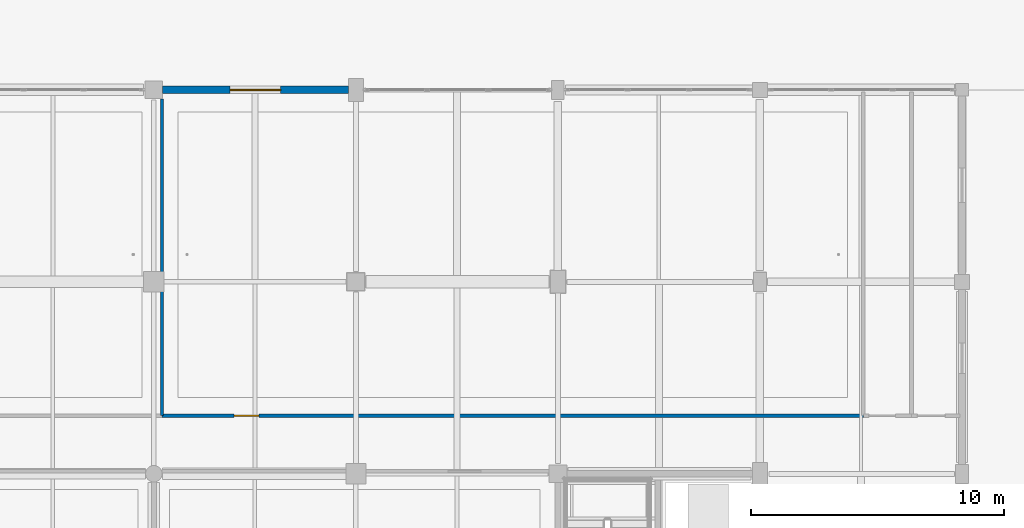
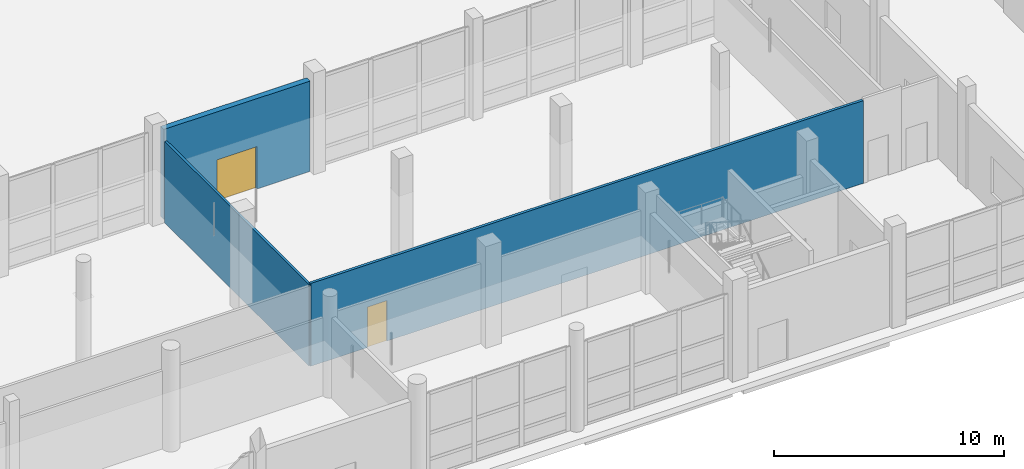
# One storey, part 63 of 126: 3 walls, 2 doors, 2 openings.
"""IFC4 building model written with IfcOpenShell, lengths in metres."""

import ifcopenshell
import ifcopenshell.guid

model = None  # the IFC model being written
_history = None  # IfcOwnerHistory: only IFC2X3 demands one
_inside = {}  # id of a spatial element -> (the spatial element, [elements in it])
_under = {}  # id of a project, library or spatial element -> (it, [spatial elements below it])
_declared = {}  # id of a project -> (the project, [libraries it declares])
_typed = {}  # id of a type object -> (the type object, [elements of that type])
_made_of = {}  # id of a material, layer set ... -> (it, [elements and type objects made of it])


def new_model(schema):
    """Start an empty IFC model of exactly this schema.

    Asked for "IFC4X3", IfcOpenShell would pick the latest addendum, in which some entities
    have other attributes; the version numbers below select the first issue.
    IFC2X3 requires an IfcOwnerHistory on every rooted entity: one is made here for all.
    """
    global model, _history
    if schema == "IFC4X3":
        model = ifcopenshell.file(schema_version=(4, 3, 0, 0))
    else:
        model = ifcopenshell.file(schema=schema)
    _inside.clear()
    _under.clear()
    _declared.clear()
    _typed.clear()
    _made_of.clear()
    _history = None
    if model.schema == "IFC2X3":
        org = make("IfcOrganization", Name="unknown")
        user = make(
            "IfcPersonAndOrganization",
            ThePerson=make("IfcPerson", FamilyName="unknown"),
            TheOrganization=org,
        )
        app = make(
            "IfcApplication",
            ApplicationDeveloper=org,
            Version="unknown",
            ApplicationFullName="unknown",
            ApplicationIdentifier="unknown",
        )
        _history = make(
            "IfcOwnerHistory",
            OwningUser=user,
            OwningApplication=app,
            ChangeAction="ADDED",
            CreationDate=0,
        )
    return model


def make(cls, **values):
    """One entity of the class cls with the attributes given. An attribute that is None is left unset."""
    return model.create_entity(
        cls, **{name: value for name, value in values.items() if value is not None}
    )


def rooted(cls, **values):
    """An entity with a GlobalId (a new one), such as an element, a storey or a relation."""
    return make(cls, GlobalId=ifcopenshell.guid.new(), OwnerHistory=_history, **values)


def si_unit(unit_type, name, prefix=None):
    """IfcSIUnit, for example si_unit("LENGTHUNIT", "METRE", prefix="MILLI")."""
    return make("IfcSIUnit", UnitType=unit_type, Prefix=prefix, Name=name)


def assignment(units):
    """IfcUnitAssignment: the units of a project."""
    return None if units is None else make("IfcUnitAssignment", Units=units)


def point(xyz):
    """IfcCartesianPoint."""
    return None if xyz is None else make("IfcCartesianPoint", Coordinates=xyz)


def direction(xyz):
    """IfcDirection."""
    return None if xyz is None else make("IfcDirection", DirectionRatios=xyz)


def frame(location, z_axis=None, x_axis=None):
    """IfcAxis2Placement3D, a coordinate frame: its origin and axes. An axis left out is left unset."""
    return make(
        "IfcAxis2Placement3D",
        Location=point(location),
        Axis=direction(z_axis),
        RefDirection=direction(x_axis),
    )


def frame_2d(location, x_axis=None):
    """IfcAxis2Placement2D, a coordinate frame in the plane: its origin and x axis."""
    return make(
        "IfcAxis2Placement2D", Location=point(location), RefDirection=direction(x_axis)
    )


def origin():
    """The frame at (0, 0, 0) with its axes left unset."""
    return frame((0.0, 0.0, 0.0))


def place(relative_to, where):
    """IfcLocalPlacement: puts the frame where relative to a parent placement (None: the world)."""
    return make(
        "IfcLocalPlacement", PlacementRelTo=relative_to, RelativePlacement=where
    )


def context(
    kind, dimensions, precision=None, world=None, true_north=None, identifier=None
):
    """IfcGeometricRepresentationContext, for example the 3D "Model" context."""
    return make(
        "IfcGeometricRepresentationContext",
        ContextIdentifier=identifier,
        ContextType=kind,
        CoordinateSpaceDimension=dimensions,
        Precision=precision,
        WorldCoordinateSystem=world,
        TrueNorth=true_north,
    )


def subcontext(parent, identifier, kind, view, scale=None):
    """IfcGeometricRepresentationSubContext, for example "Body" below "Model"."""
    return make(
        "IfcGeometricRepresentationSubContext",
        ContextIdentifier=identifier,
        ContextType=kind,
        ParentContext=parent,
        TargetScale=scale,
        TargetView=view,
    )


def project(units=None, contexts=None):
    """IfcProject with its units and contexts."""
    return rooted(
        "IfcProject",
        Name="project",
        RepresentationContexts=contexts,
        UnitsInContext=assignment(units),
    )


def spatial(cls, under=None, at=None, **own):
    """A site, building, storey or space (cls), placed at a placement, below another one or the project."""
    s = rooted(cls, ObjectPlacement=at, **own)
    if under is not None:
        _under.setdefault(under.id(), (under, []))[1].append(s)
    return s


def profile(cls, at=None, kind="AREA", **sizes):
    """A parametric profile (cls). Its sizes go by their IFC names, for example OverallWidth=200.0."""
    return make(cls, ProfileType=kind, Position=at, **sizes)


def rectangle(**sizes):
    """IfcRectangleProfileDef."""
    return profile("IfcRectangleProfileDef", **sizes)


def extrude(swept, where, along, depth):
    """IfcExtrudedAreaSolid: the profile swept, set in the frame where, extruded along a direction by depth."""
    return make(
        "IfcExtrudedAreaSolid",
        SweptArea=swept,
        Position=where,
        ExtrudedDirection=direction(along),
        Depth=depth,
    )


def shape(context_of_items, identifier, shape_type, items):
    """IfcShapeRepresentation: the items that make up one representation, for example the "Body"."""
    return make(
        "IfcShapeRepresentation",
        ContextOfItems=context_of_items,
        RepresentationIdentifier=identifier,
        RepresentationType=shape_type,
        Items=items,
    )


def material(Name=None, Category=None):
    """IfcMaterial."""
    return make("IfcMaterial", Name=Name, Category=Category)


def layer(
    of_material, thickness, ventilated=None, Name=None, Category=None, Priority=None
):
    """IfcMaterialLayer: one layer of a wall or slab, of a material (None: an air gap)."""
    return make(
        "IfcMaterialLayer",
        Material=of_material,
        LayerThickness=thickness,
        IsVentilated=ventilated,
        Name=Name,
        Category=Category,
        Priority=Priority,
    )


def layer_set(layers, Name=None):
    """IfcMaterialLayerSet."""
    return make("IfcMaterialLayerSet", MaterialLayers=layers, LayerSetName=Name)


def made_of(thing, what):
    """Note that an element or type object is made of a material, layer set ...; save() writes the relation."""
    if what is not None:
        _made_of.setdefault(what.id(), (what, []))[1].append(thing)
    return thing


def type_object(cls, material=None, **own):
    """A type object (cls), such as IfcWallType, which elements share."""
    return made_of(rooted(cls, **own), material)


def element(
    cls,
    number,
    at=None,
    inside=None,
    cuts=None,
    type_object=None,
    material=None,
    context=None,
    identifier="Body",
    shape_type=None,
    held_by="IfcProductDefinitionShape",
    body=None,
    shapes=None,
    **own,
):
    """One element of the class cls, such as IfcWall. Its Tag is "e" and its number.

    at: its placement. inside: the storey or other place that contains it. cuts: it is an
    opening in that element (IfcRelVoidsElement). A single representation is given by context,
    identifier, shape_type and body (its items); several are given by shapes. held_by: the class
    of the entity that holds the representations. save() writes the other relations.
    """
    e = rooted(cls, Tag="e%d" % number, ObjectPlacement=at, **own)
    if body is not None:
        shapes = [shape(context, identifier, shape_type, body)]
    if shapes is not None:
        e.Representation = make(held_by, Representations=shapes)
    if inside is not None:
        _inside.setdefault(inside.id(), (inside, []))[1].append(e)
    if cuts is not None:
        rooted(
            "IfcRelVoidsElement", RelatingBuildingElement=cuts, RelatedOpeningElement=e
        )
    if type_object is not None:
        _typed.setdefault(type_object.id(), (type_object, []))[1].append(e)
    return made_of(e, material)


def fill(opening, filler):
    """IfcRelFillsElement: the door or window that sits in an opening."""
    return rooted(
        "IfcRelFillsElement",
        RelatingOpeningElement=opening,
        RelatedBuildingElement=filler,
    )


def aggregate(whole, parts):
    """IfcRelAggregates: a whole, such as a stair, and the parts it consists of."""
    return rooted("IfcRelAggregates", RelatingObject=whole, RelatedObjects=parts)


def save(model, path):
    """Write the relations noted so far, then the file.

    IfcRelAggregates (storeys below a building ...), IfcRelContainedInSpatialStructure (elements
    in a storey), IfcRelDefinesByType, IfcRelAssociatesMaterial and IfcRelDeclares: one each for
    every whole, place, type object, material and project.
    """
    for whole, parts in _under.values():
        aggregate(whole, parts)
    for where, things in _inside.values():
        rooted(
            "IfcRelContainedInSpatialStructure",
            RelatedElements=things,
            RelatingStructure=where,
        )
    for kind, things in _typed.values():
        rooted("IfcRelDefinesByType", RelatedObjects=things, RelatingType=kind)
    for what, things in _made_of.values():
        rooted("IfcRelAssociatesMaterial", RelatedObjects=things, RelatingMaterial=what)
    for by, libraries in _declared.values():
        rooted("IfcRelDeclares", RelatingContext=by, RelatedDefinitions=libraries)
    model.write(path)


model = new_model("IFC4")

# Units and contexts
model_context = context("Model", 3, precision=1e-05, world=origin(), true_north=direction((0.0, 1.0)))
body_context = subcontext(model_context, "Body", "Model", "MODEL_VIEW")
ifc_project = project(units=[si_unit("LENGTHUNIT", "METRE"), si_unit("AREAUNIT", "SQUARE_METRE"), si_unit("VOLUMEUNIT", "CUBIC_METRE"), si_unit("PLANEANGLEUNIT", "RADIAN"), si_unit("MASSUNIT", "GRAM", prefix="KILO")], contexts=[model_context])

# Site, building, storey
site_placement = place(None, origin())
site = spatial("IfcSite", under=ifc_project, at=site_placement, CompositionType="ELEMENT")
building_placement = place(site_placement, origin())
building = spatial("IfcBuilding", under=site, at=building_placement, Name="Khelvaren Railside Concert Hall", CompositionType="ELEMENT")
storey_placement = place(building_placement, origin())
storey = spatial("IfcBuildingStorey", under=building, at=storey_placement, Name="L00", CompositionType="ELEMENT", Elevation=0.0)

# Wall, opening, door
ifc_material_1 = material(Name="Board-marked architectural concrete C40/50", Category="concrete")
ifc_layer_1 = layer(ifc_material_1, 0.2900390625)
ifc_layer_set_1 = layer_set([ifc_layer_1], Name="Board-marked architectural concrete C40/50")
wall_type_1 = type_object("IfcWallType", Name="EW77", PredefinedType="SOLIDWALL", material=ifc_layer_set_1)
wall_1_placement = place(storey_placement, frame((104.35009765625, 22.800048828125, 0.0), z_axis=(0.0, 0.0, 1.0), x_axis=(1.0, 0.0, 0.0)))
wall_1 = element("IfcWall", 1, at=wall_1_placement, inside=storey, type_object=wall_type_1, Name="V3 L00 Exterior Concrete Wall N-104", PredefinedType="SOLIDWALL", context=body_context, shape_type="SweptSolid", body=[
    extrude(rectangle(XDim=7.349853515625, YDim=0.2900390625, at=frame_2d((3.6748046875, 0.0))), origin(), (0.0, 0.0, 1.0), 4.800048828125),
])
opening_1_placement = place(wall_1_placement, frame((2.675048828125, 0.0, 0.0)))
opening_1 = element("IfcOpeningElement", 2, at=opening_1_placement, cuts=wall_1, Name="Opening E-V3-02", PredefinedType="OPENING", context=body_context, shape_type="SweptSolid", body=[
    extrude(rectangle(XDim=2.0, YDim=2.25, at=frame_2d((1.0, 1.125))), frame((0.0, 0.155029296875, 0.0), z_axis=(0.0, -1.0, 0.0), x_axis=(1.0, 0.0, 0.0)), (0.0, 0.0, 1.0), 0.31005859375),
])
ifc_material_2 = material(Name="Anodised bronze glazed entrance door", Category="aluminium")
door_type_1 = type_object("IfcDoorType", Name="EDR42", OperationType="NOTDEFINED", PredefinedType="DOOR", material=ifc_material_2)
door_1_placement = place(opening_1_placement, origin())
door_1 = element("IfcDoor", 3, at=door_1_placement, inside=storey, type_object=door_type_1, Name="Public Entrance Exit Door E-V3-02", OperationType="SINGLE_SWING_RIGHT", OverallHeight=2.25, OverallWidth=2.0, PredefinedType="DOOR", context=body_context, shape_type="SweptSolid", body=[
    extrude(rectangle(XDim=2.0, YDim=2.25, at=frame_2d((1.0, 1.125))), frame((0.0, 0.02490234375, 0.0), z_axis=(0.0, -1.0, 0.0), x_axis=(1.0, 0.0, 0.0)), (0.0, 0.0, 1.0), 0.050048828125),
])
fill(opening_1, door_1)

ifc_material_3 = material(Name="Acoustic double-stud gypsum partition", Category="gypsum")
ifc_layer_2 = layer(ifc_material_3, 0.139892578125)
ifc_layer_set_2 = layer_set([ifc_layer_2], Name="Acoustic double-stud gypsum partition")
wall_type_2 = type_object("IfcWallType", Name="PT55", PredefinedType="PARTITIONING", material=ifc_layer_set_2)
wall_2_placement = place(storey_placement, frame((104.326904296875, 9.89990234375, 0.0), z_axis=(0.0, 0.0, 1.0), x_axis=(1.0, 0.0, 0.0)))
wall_2 = element("IfcWall", 4, at=wall_2_placement, inside=storey, type_object=wall_type_2, Name="Acoustic Partition Wall PW-V3-L00-N-C03", PredefinedType="PARTITIONING", context=body_context, shape_type="SweptSolid", body=[
    extrude(rectangle(XDim=27.77001953125, YDim=0.139892578125, at=frame_2d((13.885009765625, 0.0))), origin(), (0.0, 0.0, 1.0), 4.39990234375),
])
opening_2_placement = place(wall_2_placement, frame((2.85302734375, 0.0, 0.0)))
opening_2 = element("IfcOpeningElement", 5, at=opening_2_placement, cuts=wall_2, Name="Opening IDR67", PredefinedType="OPENING", context=body_context, shape_type="SweptSolid", body=[
    extrude(rectangle(XDim=0.97998046875, YDim=2.14990234375, at=frame_2d((0.489990234375, 1.074951171875))), frame((0.0, 0.079833984375, 0.0), z_axis=(0.0, -1.0, 0.0), x_axis=(1.0, 0.0, 0.0)), (0.0, 0.0, 1.0), 0.159912109375),
])
ifc_material_4 = material(Name="Solid oak acoustic studio door", Category="wood")
door_type_2 = type_object("IfcDoorType", Name="IDR67", OperationType="NOTDEFINED", PredefinedType="DOOR", material=ifc_material_4)
door_2_placement = place(opening_2_placement, origin())
door_2 = element("IfcDoor", 6, at=door_2_placement, inside=storey, type_object=door_type_2, Name="Interior Door DR-V3-L00-N-03", OperationType="SINGLE_SWING_LEFT", OverallHeight=2.14990234375, OverallWidth=0.97998046875, PredefinedType="DOOR", context=body_context, shape_type="SweptSolid", body=[
    extrude(rectangle(XDim=0.97998046875, YDim=2.14990234375, at=frame_2d((0.489990234375, 1.074951171875))), frame((0.0, 0.02490234375, 0.0), z_axis=(0.0, -1.0, 0.0), x_axis=(1.0, 0.0, 0.0)), (0.0, 0.0, 1.0), 0.050048828125),
])
fill(opening_2, door_2)

# Wall
ifc_layer_3 = layer(ifc_material_3, 0.1201171875)
ifc_layer_set_3 = layer_set([ifc_layer_3], Name="Acoustic double-stud gypsum partition")
wall_type_3 = type_object("IfcWallType", Name="PT74", PredefinedType="PARTITIONING", material=ifc_layer_set_3)
wall_3_placement = place(storey_placement, frame((104.326904296875, 9.89990234375, 0.0), z_axis=(0.0, 0.0, 1.0), x_axis=(0.0, 1.0, 0.0)))
element("IfcWall", 7, at=wall_3_placement, inside=storey, type_object=wall_type_3, Name="Acoustic Partition Wall PW-V3-L00-N-D02", PredefinedType="PARTITIONING", context=body_context, shape_type="SweptSolid", body=[
    extrude(rectangle(XDim=12.550048828125, YDim=0.1201171875, at=frame_2d((6.27490234375, 0.0))), origin(), (0.0, 0.0, 1.0), 4.324951171875),
])

save(model, "model.ifc")
